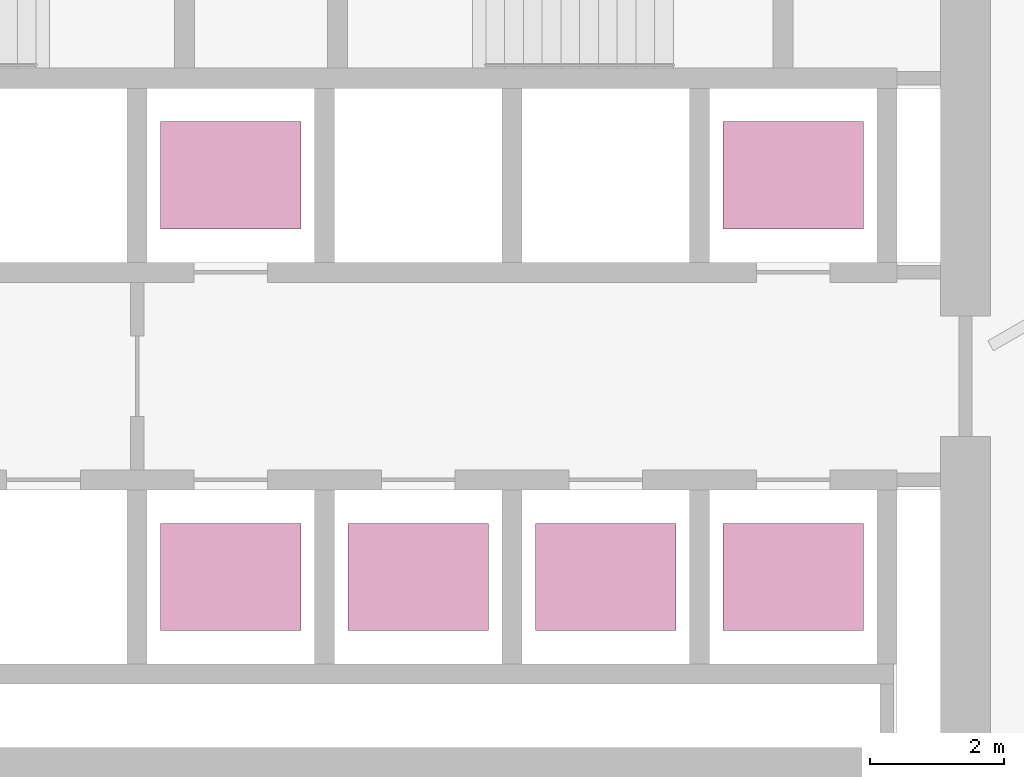
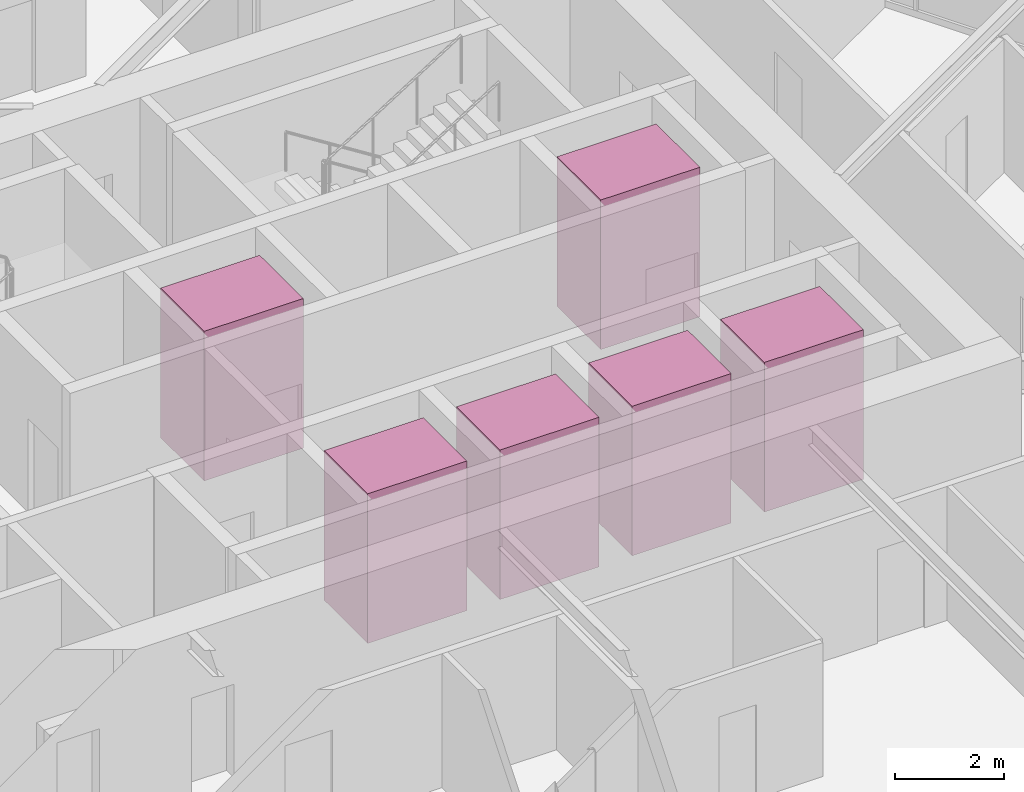
# One storey, part 24 of 24: 6 transport elements.
"""IFC4 building model written with IfcOpenShell, lengths in metres."""

from ifc_helpers import new_model, si_unit, direction, frame, origin, origin_2d, place, context, subcontext, project, spatial, rectangle, extrude, material, type_object, element, save


model = new_model("IFC4")

# Units and contexts
model_context = context("Model", 3, precision=1e-05, world=origin(), true_north=direction((0.0, 1.0)))
body_context = subcontext(model_context, "Body", "Model", "MODEL_VIEW")
ifc_project = project(units=[si_unit("LENGTHUNIT", "METRE"), si_unit("AREAUNIT", "SQUARE_METRE"), si_unit("VOLUMEUNIT", "CUBIC_METRE"), si_unit("PLANEANGLEUNIT", "RADIAN"), si_unit("MASSUNIT", "GRAM", prefix="KILO")], contexts=[model_context])

# Site, building, storey
site_placement = place(None, origin())
site = spatial("IfcSite", under=ifc_project, at=site_placement, CompositionType="ELEMENT")
building_placement = place(site_placement, origin())
building = spatial("IfcBuilding", under=site, at=building_placement, Name="Firuza Gate Tower and Library", CompositionType="ELEMENT")
storey_placement = place(building_placement, frame((0.0, 0.0, 237.699951171875)))
storey = spatial("IfcBuildingStorey", under=building, at=storey_placement, Name="L56", CompositionType="ELEMENT", Elevation=237.699951171875)

# Transport elements
ifc_material = material(Name="Stainless steel and glass", Category="steel")
transport_element_type = type_object("IfcTransportElementType", Name="Mid-rise lift car 2100x1600", PredefinedType="ELEVATOR", material=ifc_material)
for number, where, z_axis, x_axis, name in (
    (1, (74.64990234375, 70.300048828125, 0.0), (0.0, 0.0, 1.0), (1.0, 0.0, 0.0), "Mid-rise lift MR1"),
    (2, (77.449951171875, 70.300048828125, 0.0), (0.0, 0.0, 1.0), (1.0, 0.0, 0.0), "Mid-rise lift MR2"),
    (3, (80.25, 70.300048828125, 0.0), (0.0, 0.0, 1.0), (1.0, 0.0, 0.0), "Mid-rise lift MR3"),
    (4, (74.64990234375, 76.300048828125, 0.0), (0.0, 0.0, 1.0), (1.0, 0.0, 0.0), "Mid-rise lift MR4"),
    (5, (83.050048828125, 70.300048828125, 0.0), (0.0, 0.0, 1.0), (1.0, 0.0, 0.0), "Mid-rise lift MR5"),
    (6, (83.050048828125, 76.300048828125, 0.0), (0.0, 0.0, 1.0), (1.0, 0.0, 0.0), "Mid-rise lift MR6"),
):
    element("IfcTransportElement", number, at=place(storey_placement, frame(where, z_axis=z_axis, x_axis=x_axis)), inside=storey, type_object=transport_element_type, Name=name, PredefinedType="ELEVATOR", context=body_context, shape_type="SweptSolid", body=[
        extrude(rectangle(XDim=2.10009765625, YDim=1.60009765625, at=origin_2d()), origin(), (0.0, 0.0, 1.0), 3.35009765625),
    ])

save(model, "model.ifc")
